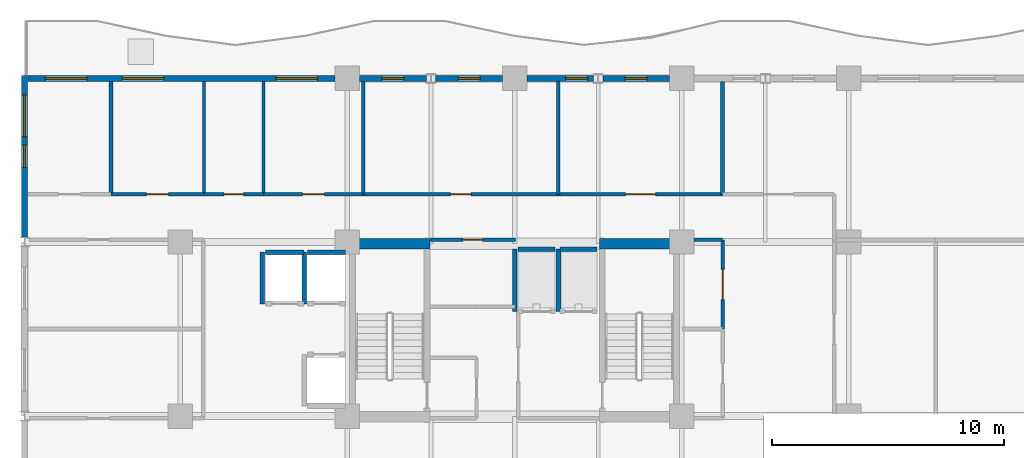
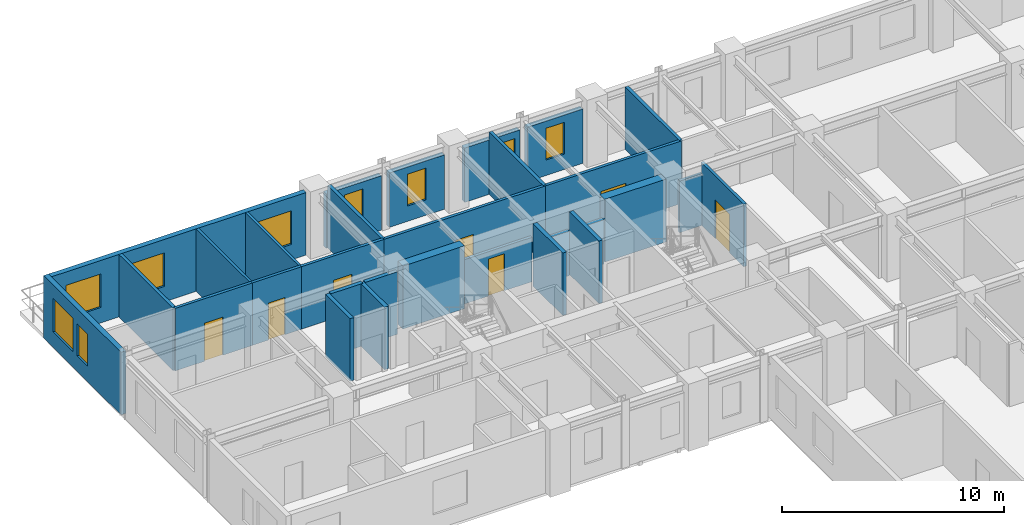
# One storey, part 8 of 14: 30 walls, 9 windows, 7 doors, 16 openings.
"""IFC4 building model written with IfcOpenShell, lengths in metres."""

from ifc_helpers import new_model, si_unit, direction, frame, frame_2d, origin, place, context, subcontext, project, spatial, rectangle, extrude, material, layer, layer_set, type_object, element, fill, save


model = new_model("IFC4")

# Units and contexts
model_context = context("Model", 3, precision=1e-05, world=origin(), true_north=direction((0.0, 1.0)))
body_context = subcontext(model_context, "Body", "Model", "MODEL_VIEW")
ifc_project = project(units=[si_unit("LENGTHUNIT", "METRE"), si_unit("AREAUNIT", "SQUARE_METRE"), si_unit("VOLUMEUNIT", "CUBIC_METRE"), si_unit("PLANEANGLEUNIT", "RADIAN"), si_unit("MASSUNIT", "GRAM", prefix="KILO")], contexts=[model_context])

# Site, building, storey
site_placement = place(None, origin())
site = spatial("IfcSite", under=ifc_project, at=site_placement, CompositionType="ELEMENT")
building_placement = place(site_placement, origin())
building = spatial("IfcBuilding", under=site, at=building_placement, Name="Kaliganga Portal Commons", CompositionType="ELEMENT")
storey_placement = place(building_placement, frame((0.0, 0.0, 151.300048828125)))
storey = spatial("IfcBuildingStorey", under=building, at=storey_placement, Name="L38", CompositionType="ELEMENT", Elevation=151.300048828125)

# Walls
ifc_material_1 = material(Name="Concrete C60/75", Category="concrete")
ifc_layer_1 = layer(ifc_material_1, 0.449951171875)
ifc_layer_set_1 = layer_set([ifc_layer_1], Name="Concrete C60/75")
wall_type_1 = type_object("IfcWallType", Name="WL-CORE-450", PredefinedType="SHEAR", material=ifc_layer_set_1)
for number, where, z_axis, x_axis, name in (
    (1, (14.75, 36.074951171875, 0.0), (0.0, 0.0, 1.0), (1.0, 0.0, 0.0), "Core A N-West Shear Wall L38"),
    (2, (25.25, 36.074951171875, 0.0), (0.0, 0.0, 1.0), (1.0, 0.0, 0.0), "Core A N-East Shear Wall L38"),
):
    element("IfcWall", number, at=place(storey_placement, frame(where, z_axis=z_axis, x_axis=x_axis)), inside=storey, type_object=wall_type_1, Name=name, PredefinedType="SHEAR", context=body_context, shape_type="SweptSolid", body=[
        extrude(rectangle(XDim=3.199951171875, YDim=0.449951171875, at=frame_2d((1.60009765625, 0.0))), origin(), (0.0, 0.0, 1.0), 3.4599609375),
    ])

# Wall, opening, window
ifc_material_2 = material(Name="Insulated Aluminium-Clad Spandrel Assembly", Category="aluminium")
ifc_layer_2 = layer(ifc_material_2, 0.260009765625)
ifc_layer_set_2 = layer_set([ifc_layer_2], Name="Insulated Aluminium-Clad Spandrel Assembly")
wall_type_2 = type_object("IfcWallType", Name="WL-EXT-SPAND-260", PredefinedType="STANDARD", material=ifc_layer_set_2)
wall_1_placement = place(storey_placement, frame((25.403076171875, 43.199951171875, 0.0), z_axis=(0.0, 0.0, 1.0), x_axis=(1.0, 0.0, 0.0)))
wall_1 = element("IfcWall", 3, at=wall_1_placement, inside=storey, type_object=wall_type_2, Name="Exterior Envelope Wall L38 P1-E02-S5", PredefinedType="STANDARD", context=body_context, shape_type="SweptSolid", body=[
    extrude(rectangle(XDim=2.870849609375, YDim=0.260009765625, at=frame_2d((1.435546875, 0.0))), origin(), (0.0, 0.0, 1.0), 2.989990234375),
])
opening_1_placement = place(wall_1_placement, frame((0.96044921875, 0.0, 0.85009765625)))
opening_1 = element("IfcOpeningElement", 4, at=opening_1_placement, cuts=wall_1, Name="Opening W-04", PredefinedType="OPENING", context=body_context, shape_type="SweptSolid", body=[
    extrude(rectangle(XDim=0.949951171875, YDim=1.75, at=frame_2d((0.47509765625, 0.875))), frame((0.0, 0.14013671875, 0.0), z_axis=(0.0, -1.0, 0.0), x_axis=(1.0, 0.0, 0.0)), (0.0, 0.0, 1.0), 0.280029296875),
])
ifc_material_3 = material(Name="Thermally Broken Aluminium and Low-E Double Glazing", Category="aluminium")
window_type_1 = type_object("IfcWindowType", Name="WIN-NARROW-950", PartitioningType="SINGLE_PANEL", PredefinedType="WINDOW", material=ifc_material_3)
window_1_placement = place(opening_1_placement, origin())
window_1 = element("IfcWindow", 5, at=window_1_placement, inside=storey, type_object=window_type_1, Name="Facade Window L38-P1E02S5-00", OverallHeight=1.75, OverallWidth=0.949951171875, PartitioningType="SINGLE_PANEL", PredefinedType="WINDOW", context=body_context, shape_type="SweptSolid", body=[
    extrude(rectangle(XDim=0.949951171875, YDim=1.75, at=frame_2d((0.47509765625, 0.875))), frame((0.0, 0.030029296875, 0.0), z_axis=(0.0, -1.0, 0.0), x_axis=(1.0, 0.0, 0.0)), (0.0, 0.0, 1.0), 0.06005859375),
])
fill(opening_1, window_1)

wall_2_placement = place(storey_placement, frame((22.1259765625, 43.199951171875, 0.0), z_axis=(0.0, 0.0, 1.0), x_axis=(1.0, 0.0, 0.0)))
wall_2 = element("IfcWall", 6, at=wall_2_placement, inside=storey, type_object=wall_type_2, Name="Exterior Envelope Wall L38 P1-E02-S6", PredefinedType="STANDARD", context=body_context, shape_type="SweptSolid", body=[
    extrude(rectangle(XDim=2.87109375, YDim=0.260009765625, at=frame_2d((1.435546875, 0.0))), origin(), (0.0, 0.0, 1.0), 2.989990234375),
])
opening_2_placement = place(wall_2_placement, frame((1.672607421875, 0.0, 0.85009765625)))
opening_2 = element("IfcOpeningElement", 7, at=opening_2_placement, cuts=wall_2, Name="Opening W-04", PredefinedType="OPENING", context=body_context, shape_type="SweptSolid", body=[
    extrude(rectangle(XDim=0.949951171875, YDim=1.75, at=frame_2d((0.47509765625, 0.875))), frame((0.0, 0.14013671875, 0.0), z_axis=(0.0, -1.0, 0.0), x_axis=(1.0, 0.0, 0.0)), (0.0, 0.0, 1.0), 0.280029296875),
])
window_2_placement = place(opening_2_placement, origin())
window_2 = element("IfcWindow", 8, at=window_2_placement, inside=storey, type_object=window_type_1, Name="Facade Window L38-P1E02S6-N2", OverallHeight=1.75, OverallWidth=0.949951171875, PartitioningType="SINGLE_PANEL", PredefinedType="WINDOW", context=body_context, shape_type="SweptSolid", body=[
    extrude(rectangle(XDim=0.949951171875, YDim=1.75, at=frame_2d((0.47509765625, 0.875))), frame((0.0, 0.030029296875, 0.0), z_axis=(0.0, -1.0, 0.0), x_axis=(1.0, 0.0, 0.0)), (0.0, 0.0, 1.0), 0.06005859375),
])
fill(opening_2, window_2)

wall_3_placement = place(storey_placement, frame((18.202880859375, 43.199951171875, 0.0), z_axis=(0.0, 0.0, 1.0), x_axis=(1.0, 0.0, 0.0)))
wall_3 = element("IfcWall", 9, at=wall_3_placement, inside=storey, type_object=wall_type_2, Name="Exterior Envelope Wall L38 P1-E02-S7", PredefinedType="STANDARD", context=body_context, shape_type="SweptSolid", body=[
    extrude(rectangle(XDim=2.87109375, YDim=0.260009765625, at=frame_2d((1.435546875, 0.0))), origin(), (0.0, 0.0, 1.0), 2.989990234375),
])
opening_3_placement = place(wall_3_placement, frame((0.96044921875, 0.0, 0.85009765625)))
opening_3 = element("IfcOpeningElement", 10, at=opening_3_placement, cuts=wall_3, Name="Opening W-04", PredefinedType="OPENING", context=body_context, shape_type="SweptSolid", body=[
    extrude(rectangle(XDim=0.949951171875, YDim=1.75, at=frame_2d((0.47509765625, 0.875))), frame((0.0, 0.14013671875, 0.0), z_axis=(0.0, -1.0, 0.0), x_axis=(1.0, 0.0, 0.0)), (0.0, 0.0, 1.0), 0.280029296875),
])
window_3_placement = place(opening_3_placement, origin())
window_3 = element("IfcWindow", 11, at=window_3_placement, inside=storey, type_object=window_type_1, Name="Facade Window L38-P1E02S7-00", OverallHeight=1.75, OverallWidth=0.949951171875, PartitioningType="SINGLE_PANEL", PredefinedType="WINDOW", context=body_context, shape_type="SweptSolid", body=[
    extrude(rectangle(XDim=0.949951171875, YDim=1.75, at=frame_2d((0.47509765625, 0.875))), frame((0.0, 0.030029296875, 0.0), z_axis=(0.0, -1.0, 0.0), x_axis=(1.0, 0.0, 0.0)), (0.0, 0.0, 1.0), 0.06005859375),
])
fill(opening_3, window_3)

wall_4_placement = place(storey_placement, frame((14.926025390625, 43.199951171875, 0.0), z_axis=(0.0, 0.0, 1.0), x_axis=(1.0, 0.0, 0.0)))
wall_4 = element("IfcWall", 12, at=wall_4_placement, inside=storey, type_object=wall_type_2, Name="Exterior Envelope Wall L38 P1-E02-S8", PredefinedType="STANDARD", context=body_context, shape_type="SweptSolid", body=[
    extrude(rectangle(XDim=2.87109375, YDim=0.260009765625, at=frame_2d((1.435546875, 0.0))), origin(), (0.0, 0.0, 1.0), 2.989990234375),
])
opening_4_placement = place(wall_4_placement, frame((0.96044921875, 0.0, 0.85009765625)))
opening_4 = element("IfcOpeningElement", 13, at=opening_4_placement, cuts=wall_4, Name="Opening W-04", PredefinedType="OPENING", context=body_context, shape_type="SweptSolid", body=[
    extrude(rectangle(XDim=0.949951171875, YDim=1.75, at=frame_2d((0.47509765625, 0.875))), frame((0.0, 0.14013671875, 0.0), z_axis=(0.0, -1.0, 0.0), x_axis=(1.0, 0.0, 0.0)), (0.0, 0.0, 1.0), 0.280029296875),
])
window_4_placement = place(opening_4_placement, origin())
window_4 = element("IfcWindow", 14, at=window_4_placement, inside=storey, type_object=window_type_1, Name="Facade Window L38-P1E02S8-00", OverallHeight=1.75, OverallWidth=0.949951171875, PartitioningType="SINGLE_PANEL", PredefinedType="WINDOW", context=body_context, shape_type="SweptSolid", body=[
    extrude(rectangle(XDim=0.949951171875, YDim=1.75, at=frame_2d((0.47509765625, 0.875))), frame((0.0, 0.030029296875, 0.0), z_axis=(0.0, -1.0, 0.0), x_axis=(1.0, 0.0, 0.0)), (0.0, 0.0, 1.0), 0.06005859375),
])
fill(opening_4, window_4)

# Wall, openings, windows
wall_5_placement = place(storey_placement, frame((0.635009765625, 43.199951171875, 0.0), z_axis=(0.0, 0.0, 1.0), x_axis=(1.0, 0.0, 0.0)))
wall_5 = element("IfcWall", 15, at=wall_5_placement, inside=storey, type_object=wall_type_2, Name="Exterior Envelope Wall L38 P1-E02-S9", PredefinedType="STANDARD", context=body_context, shape_type="SweptSolid", body=[
    extrude(rectangle(XDim=13.239013671875, YDim=0.260009765625, at=frame_2d((6.61962890625, 0.0))), origin(), (0.0, 0.0, 1.0), 3.43994140625),
])
opening_5_placement = place(wall_5_placement, frame((0.7548828125, 0.0, 0.85009765625)))
opening_5 = element("IfcOpeningElement", 16, at=opening_5_placement, cuts=wall_5, Name="Opening W-01", PredefinedType="OPENING", context=body_context, shape_type="SweptSolid", body=[
    extrude(rectangle(XDim=1.800048828125, YDim=1.85009765625, at=frame_2d((0.89990234375, 0.925048828125))), frame((0.0, 0.14013671875, 0.0), z_axis=(0.0, -1.0, 0.0), x_axis=(1.0, 0.0, 0.0)), (0.0, 0.0, 1.0), 0.280029296875),
])
opening_6_placement = place(wall_5_placement, frame((4.064697265625, 0.0, 0.85009765625)))
opening_6 = element("IfcOpeningElement", 17, at=opening_6_placement, cuts=wall_5, Name="Opening W-01", PredefinedType="OPENING", context=body_context, shape_type="SweptSolid", body=[
    extrude(rectangle(XDim=1.800048828125, YDim=1.85009765625, at=frame_2d((0.89990234375, 0.925048828125))), frame((0.0, 0.14013671875, 0.0), z_axis=(0.0, -1.0, 0.0), x_axis=(1.0, 0.0, 0.0)), (0.0, 0.0, 1.0), 0.280029296875),
])
opening_7_placement = place(wall_5_placement, frame((10.68408203125, 0.0, 0.85009765625)))
opening_7 = element("IfcOpeningElement", 18, at=opening_7_placement, cuts=wall_5, Name="Opening W-01", PredefinedType="OPENING", context=body_context, shape_type="SweptSolid", body=[
    extrude(rectangle(XDim=1.800048828125, YDim=1.85009765625, at=frame_2d((0.89990234375, 0.925048828125))), frame((0.0, 0.14013671875, 0.0), z_axis=(0.0, -1.0, 0.0), x_axis=(1.0, 0.0, 0.0)), (0.0, 0.0, 1.0), 0.280029296875),
])
window_type_2 = type_object("IfcWindowType", Name="WIN-STD-1800", PartitioningType="DOUBLE_PANEL_VERTICAL", PredefinedType="WINDOW", material=ifc_material_3)
window_5_placement = place(opening_5_placement, origin())
window_5 = element("IfcWindow", 19, at=window_5_placement, inside=storey, type_object=window_type_2, Name="Facade Window L38-P1E02S9-00", OverallHeight=1.85009765625, OverallWidth=1.800048828125, PartitioningType="SINGLE_PANEL", PredefinedType="WINDOW", context=body_context, shape_type="SweptSolid", body=[
    extrude(rectangle(XDim=1.800048828125, YDim=1.85009765625, at=frame_2d((0.89990234375, 0.925048828125))), frame((0.0, 0.030029296875, 0.0), z_axis=(0.0, -1.0, 0.0), x_axis=(1.0, 0.0, 0.0)), (0.0, 0.0, 1.0), 0.06005859375),
])
fill(opening_5, window_5)
window_6_placement = place(opening_6_placement, origin())
window_6 = element("IfcWindow", 20, at=window_6_placement, inside=storey, type_object=window_type_2, Name="Facade Window L38-P1E02S9-01", OverallHeight=1.85009765625, OverallWidth=1.800048828125, PartitioningType="SINGLE_PANEL", PredefinedType="WINDOW", context=body_context, shape_type="SweptSolid", body=[
    extrude(rectangle(XDim=1.800048828125, YDim=1.85009765625, at=frame_2d((0.89990234375, 0.925048828125))), frame((0.0, 0.030029296875, 0.0), z_axis=(0.0, -1.0, 0.0), x_axis=(1.0, 0.0, 0.0)), (0.0, 0.0, 1.0), 0.06005859375),
])
fill(opening_6, window_6)
window_7_placement = place(opening_7_placement, origin())
window_7 = element("IfcWindow", 21, at=window_7_placement, inside=storey, type_object=window_type_2, Name="Facade Window L38-P1E02S9-03", OverallHeight=1.85009765625, OverallWidth=1.800048828125, PartitioningType="SINGLE_PANEL", PredefinedType="WINDOW", context=body_context, shape_type="SweptSolid", body=[
    extrude(rectangle(XDim=1.800048828125, YDim=1.85009765625, at=frame_2d((0.89990234375, 0.925048828125))), frame((0.0, 0.030029296875, 0.0), z_axis=(0.0, -1.0, 0.0), x_axis=(1.0, 0.0, 0.0)), (0.0, 0.0, 1.0), 0.06005859375),
])
fill(opening_7, window_7)

wall_6_placement = place(storey_placement, frame((0.5, 36.35791015625, 0.0), z_axis=(0.0, 0.0, 1.0), x_axis=(0.0, 1.0, 0.0)))
wall_6 = element("IfcWall", 22, at=wall_6_placement, inside=storey, type_object=wall_type_2, Name="Exterior Envelope Wall L38 P1-E03-S1", PredefinedType="STANDARD", context=body_context, shape_type="SweptSolid", body=[
    extrude(rectangle(XDim=6.97216796875, YDim=0.260009765625, at=frame_2d((3.486083984375, 0.0))), origin(), (0.0, 0.0, 1.0), 3.43994140625),
])
opening_8_placement = place(wall_6_placement, frame((4.3291015625, 0.0, 0.85009765625)))
opening_8 = element("IfcOpeningElement", 23, at=opening_8_placement, cuts=wall_6, Name="Opening W-01", PredefinedType="OPENING", context=body_context, shape_type="SweptSolid", body=[
    extrude(rectangle(XDim=1.800048828125, YDim=1.85009765625, at=frame_2d((0.89990234375, 0.925048828125))), frame((0.0, 0.14013671875, 0.0), z_axis=(0.0, -1.0, 0.0), x_axis=(1.0, 0.0, 0.0)), (0.0, 0.0, 1.0), 0.280029296875),
])
opening_9_placement = place(wall_6_placement, frame((3.010986328125, 0.0, 0.85009765625)))
opening_9 = element("IfcOpeningElement", 24, at=opening_9_placement, cuts=wall_6, Name="Opening W-04", PredefinedType="OPENING", context=body_context, shape_type="SweptSolid", body=[
    extrude(rectangle(XDim=0.949951171875, YDim=1.75, at=frame_2d((0.47509765625, 0.875))), frame((0.0, 0.14013671875, 0.0), z_axis=(0.0, -1.0, 0.0), x_axis=(1.0, 0.0, 0.0)), (0.0, 0.0, 1.0), 0.280029296875),
])
window_8_placement = place(opening_9_placement, origin())
window_8 = element("IfcWindow", 25, at=window_8_placement, inside=storey, type_object=window_type_1, Name="Facade Window L38-P1E03S1-N0", OverallHeight=1.75, OverallWidth=0.949951171875, PartitioningType="SINGLE_PANEL", PredefinedType="WINDOW", context=body_context, shape_type="SweptSolid", body=[
    extrude(rectangle(XDim=0.949951171875, YDim=1.75, at=frame_2d((0.47509765625, 0.875))), frame((0.0, 0.030029296875, 0.0), z_axis=(0.0, -1.0, 0.0), x_axis=(1.0, 0.0, 0.0)), (0.0, 0.0, 1.0), 0.06005859375),
])
fill(opening_9, window_8)
window_9_placement = place(opening_8_placement, origin())
window_9 = element("IfcWindow", 26, at=window_9_placement, inside=storey, type_object=window_type_2, Name="Facade Window L38-P1E03S1-01", OverallHeight=1.85009765625, OverallWidth=1.800048828125, PartitioningType="SINGLE_PANEL", PredefinedType="WINDOW", context=body_context, shape_type="SweptSolid", body=[
    extrude(rectangle(XDim=1.800048828125, YDim=1.85009765625, at=frame_2d((0.89990234375, 0.925048828125))), frame((0.0, 0.030029296875, 0.0), z_axis=(0.0, -1.0, 0.0), x_axis=(1.0, 0.0, 0.0)), (0.0, 0.0, 1.0), 0.06005859375),
])
fill(opening_8, window_9)

# Wall, opening, door
ifc_material_4 = material(Name="Fire-Rated Gypsum Board on Steel Stud", Category="steel")
ifc_layer_3 = layer(ifc_material_4, 0.14990234375)
ifc_layer_set_3 = layer_set([ifc_layer_3], Name="Fire-Rated Gypsum Board on Steel Stud")
wall_type_3 = type_object("IfcWallType", Name="WL-PART-CORR-150", PredefinedType="PARTITIONING", material=ifc_layer_set_3)
wall_7_placement = place(storey_placement, frame((15.080078125, 38.199951171875, 0.0), z_axis=(0.0, 0.0, 1.0), x_axis=(1.0, 0.0, 0.0)))
wall_7 = element("IfcWall", 27, at=wall_7_placement, inside=storey, type_object=wall_type_3, Name="Interior Partition L38-011", PredefinedType="PARTITIONING", context=body_context, shape_type="SweptSolid", body=[
    extrude(rectangle(XDim=8.39990234375, YDim=0.14990234375, at=frame_2d((4.199951171875, 0.0))), origin(), (0.0, 0.0, 1.0), 3.43994140625),
])
opening_10_placement = place(wall_7_placement, frame((3.75, 0.0, 0.0)))
opening_10 = element("IfcOpeningElement", 28, at=opening_10_placement, cuts=wall_7, Name="Opening RD-01", PredefinedType="OPENING", context=body_context, shape_type="SweptSolid", body=[
    extrude(rectangle(XDim=0.89990234375, YDim=2.080078125, at=frame_2d((0.449951171875, 1.0400390625))), frame((0.0, 0.0849609375, 0.0), z_axis=(0.0, -1.0, 0.0), x_axis=(1.0, 0.0, 0.0)), (0.0, 0.0, 1.0), 0.169921875),
])
ifc_material_5 = material(Name="Engineered Timber Flush Door", Category="wood")
door_type_1 = type_object("IfcDoorType", Name="DR-ROOM-900", OperationType="NOTDEFINED", PredefinedType="DOOR", material=ifc_material_5)
door_1_placement = place(opening_10_placement, origin())
door_1 = element("IfcDoor", 29, at=door_1_placement, inside=storey, type_object=door_type_1, Name="Interior Door L38-AN05", OperationType="SINGLE_SWING_LEFT", OverallHeight=2.080078125, OverallWidth=0.89990234375, PredefinedType="DOOR", context=body_context, shape_type="SweptSolid", body=[
    extrude(rectangle(XDim=0.89990234375, YDim=2.080078125, at=frame_2d((0.449951171875, 1.0400390625))), frame((0.0, 0.02490234375, 0.0), z_axis=(0.0, -1.0, 0.0), x_axis=(1.0, 0.0, 0.0)), (0.0, 0.0, 1.0), 0.050048828125),
])
fill(opening_10, door_1)

wall_8_placement = place(storey_placement, frame((23.47998046875, 38.199951171875, 0.0), z_axis=(0.0, 0.0, 1.0), x_axis=(1.0, 0.0, 0.0)))
wall_8 = element("IfcWall", 30, at=wall_8_placement, inside=storey, type_object=wall_type_3, Name="Interior Partition L38-019", PredefinedType="PARTITIONING", context=body_context, shape_type="SweptSolid", body=[
    extrude(rectangle(XDim=7.080078125, YDim=0.14990234375, at=frame_2d((3.5400390625, 0.0))), origin(), (0.0, 0.0, 1.0), 3.43994140625),
])
opening_11_placement = place(wall_8_placement, frame((2.889892578125, 0.0, 0.0)))
opening_11 = element("IfcOpeningElement", 31, at=opening_11_placement, cuts=wall_8, Name="Opening RD-03", PredefinedType="OPENING", context=body_context, shape_type="SweptSolid", body=[
    extrude(rectangle(XDim=1.300048828125, YDim=2.1201171875, at=frame_2d((0.64990234375, 1.06005859375))), frame((0.0, 0.0849609375, 0.0), z_axis=(0.0, -1.0, 0.0), x_axis=(1.0, 0.0, 0.0)), (0.0, 0.0, 1.0), 0.169921875),
])
ifc_material_6 = material(Name="Glazed Timber Seminar Vision Door", Category="wood")
door_type_2 = type_object("IfcDoorType", Name="DR-STUDY-1300", OperationType="DOUBLE_DOOR_SINGLE_SWING", PredefinedType="DOOR", material=ifc_material_6)
door_2_placement = place(opening_11_placement, origin())
door_2 = element("IfcDoor", 32, at=door_2_placement, inside=storey, type_object=door_type_2, Name="Interior Door L38-AN06", OperationType="DOUBLE_DOOR_SINGLE_SWING", OverallHeight=2.1201171875, OverallWidth=1.300048828125, PredefinedType="DOOR", context=body_context, shape_type="SweptSolid", body=[
    extrude(rectangle(XDim=1.300048828125, YDim=2.1201171875, at=frame_2d((0.64990234375, 1.06005859375))), frame((0.0, 0.02490234375, 0.0), z_axis=(0.0, -1.0, 0.0), x_axis=(1.0, 0.0, 0.0)), (0.0, 0.0, 1.0), 0.050048828125),
])
fill(opening_11, door_2)

wall_9_placement = place(storey_placement, frame((10.780029296875, 38.199951171875, 0.0), z_axis=(0.0, 0.0, 1.0), x_axis=(1.0, 0.0, 0.0)))
wall_9 = element("IfcWall", 33, at=wall_9_placement, inside=storey, type_object=wall_type_3, Name="Interior Partition L38-035", PredefinedType="PARTITIONING", context=body_context, shape_type="SweptSolid", body=[
    extrude(rectangle(XDim=4.300048828125, YDim=0.14990234375, at=frame_2d((2.14990234375, 0.0))), origin(), (0.0, 0.0, 1.0), 3.43994140625),
])
opening_12_placement = place(wall_9_placement, frame((1.675048828125, 0.0, 0.0)))
opening_12 = element("IfcOpeningElement", 34, at=opening_12_placement, cuts=wall_9, Name="Opening UD-01", PredefinedType="OPENING", context=body_context, shape_type="SweptSolid", body=[
    extrude(rectangle(XDim=0.949951171875, YDim=2.10009765625, at=frame_2d((0.47509765625, 1.050048828125))), frame((0.0, 0.0849609375, 0.0), z_axis=(0.0, -1.0, 0.0), x_axis=(1.0, 0.0, 0.0)), (0.0, 0.0, 1.0), 0.169921875),
])
ifc_material_7 = material(Name="Solid-Core Timber Acoustic Fire Door", Category="wood")
door_type_3 = type_object("IfcDoorType", Name="DR-UNIT-950", OperationType="NOTDEFINED", PredefinedType="DOOR", material=ifc_material_7)
door_3_placement = place(opening_12_placement, origin())
door_3 = element("IfcDoor", 35, at=door_3_placement, inside=storey, type_object=door_type_3, Name="Interior Door L38-AN04", OperationType="SINGLE_SWING_RIGHT", OverallHeight=2.10009765625, OverallWidth=0.949951171875, PredefinedType="DOOR", context=body_context, shape_type="SweptSolid", body=[
    extrude(rectangle(XDim=0.949951171875, YDim=2.10009765625, at=frame_2d((0.47509765625, 1.050048828125))), frame((0.0, 0.02490234375, 0.0), z_axis=(0.0, -1.0, 0.0), x_axis=(1.0, 0.0, 0.0)), (0.0, 0.0, 1.0), 0.050048828125),
])
fill(opening_12, door_3)

wall_10_placement = place(storey_placement, frame((4.219970703125, 38.199951171875, 0.0), z_axis=(0.0, 0.0, 1.0), x_axis=(1.0, 0.0, 0.0)))
wall_10 = element("IfcWall", 36, at=wall_10_placement, inside=storey, type_object=wall_type_3, Name="Interior Partition L38-037", PredefinedType="PARTITIONING", context=body_context, shape_type="SweptSolid", body=[
    extrude(rectangle(XDim=4.0, YDim=0.14990234375, at=frame_2d((2.0, 0.0))), origin(), (0.0, 0.0, 1.0), 3.43994140625),
])
opening_13_placement = place(wall_10_placement, frame((1.52490234375, 0.0, 0.0)))
opening_13 = element("IfcOpeningElement", 37, at=opening_13_placement, cuts=wall_10, Name="Opening UD-01", PredefinedType="OPENING", context=body_context, shape_type="SweptSolid", body=[
    extrude(rectangle(XDim=0.949951171875, YDim=2.10009765625, at=frame_2d((0.47509765625, 1.050048828125))), frame((0.0, 0.0849609375, 0.0), z_axis=(0.0, -1.0, 0.0), x_axis=(1.0, 0.0, 0.0)), (0.0, 0.0, 1.0), 0.169921875),
])
door_4_placement = place(opening_13_placement, origin())
door_4 = element("IfcDoor", 38, at=door_4_placement, inside=storey, type_object=door_type_3, Name="Interior Door L38-AN02", OperationType="SINGLE_SWING_RIGHT", OverallHeight=2.10009765625, OverallWidth=0.949951171875, PredefinedType="DOOR", context=body_context, shape_type="SweptSolid", body=[
    extrude(rectangle(XDim=0.949951171875, YDim=2.10009765625, at=frame_2d((0.47509765625, 1.050048828125))), frame((0.0, 0.02490234375, 0.0), z_axis=(0.0, -1.0, 0.0), x_axis=(1.0, 0.0, 0.0)), (0.0, 0.0, 1.0), 0.050048828125),
])
fill(opening_13, door_4)

wall_11_placement = place(storey_placement, frame((30.56005859375, 32.39990234375, 0.0), z_axis=(0.0, 0.0, 1.0), x_axis=(0.0, 1.0, 0.0)))
wall_11 = element("IfcWall", 39, at=wall_11_placement, inside=storey, type_object=wall_type_3, Name="Interior Partition L38-039", PredefinedType="PARTITIONING", context=body_context, shape_type="SweptSolid", body=[
    extrude(rectangle(XDim=3.840087890625, YDim=0.14990234375, at=frame_2d((1.919921875, 0.0))), origin(), (0.0, 0.0, 1.0), 3.43994140625),
])
opening_14_placement = place(wall_11_placement, frame((1.27001953125, 0.0, 0.0)))
opening_14 = element("IfcOpeningElement", 40, at=opening_14_placement, cuts=wall_11, Name="Opening RD-03", PredefinedType="OPENING", context=body_context, shape_type="SweptSolid", body=[
    extrude(rectangle(XDim=1.300048828125, YDim=2.1201171875, at=frame_2d((0.64990234375, 1.06005859375))), frame((0.0, 0.0849609375, 0.0), z_axis=(0.0, -1.0, 0.0), x_axis=(1.0, 0.0, 0.0)), (0.0, 0.0, 1.0), 0.169921875),
])
door_5_placement = place(opening_14_placement, origin())
door_5 = element("IfcDoor", 41, at=door_5_placement, inside=storey, type_object=door_type_2, Name="Interior Door L38-CSRV_A2", OperationType="DOUBLE_DOOR_SINGLE_SWING", OverallHeight=2.1201171875, OverallWidth=1.300048828125, PredefinedType="DOOR", context=body_context, shape_type="SweptSolid", body=[
    extrude(rectangle(XDim=1.300048828125, YDim=2.1201171875, at=frame_2d((0.64990234375, 1.06005859375))), frame((0.0, 0.02490234375, 0.0), z_axis=(0.0, -1.0, 0.0), x_axis=(1.0, 0.0, 0.0)), (0.0, 0.0, 1.0), 0.050048828125),
])
fill(opening_14, door_5)

wall_12_placement = place(storey_placement, frame((17.9599609375, 36.239990234375, 0.0), z_axis=(0.0, 0.0, 1.0), x_axis=(1.0, 0.0, 0.0)))
wall_12 = element("IfcWall", 42, at=wall_12_placement, inside=storey, type_object=wall_type_3, Name="Interior Partition L38-044", PredefinedType="PARTITIONING", context=body_context, shape_type="SweptSolid", body=[
    extrude(rectangle(XDim=3.679931640625, YDim=0.14990234375, at=frame_2d((1.83984375, 0.0))), origin(), (0.0, 0.0, 1.0), 2.43994140625),
])
opening_15_placement = place(wall_12_placement, frame((1.4150390625, 0.0, 0.0)))
opening_15 = element("IfcOpeningElement", 43, at=opening_15_placement, cuts=wall_12, Name="Opening WD-01", PredefinedType="OPENING", context=body_context, shape_type="SweptSolid", body=[
    extrude(rectangle(XDim=0.85009765625, YDim=2.0400390625, at=frame_2d((0.425048828125, 1.02001953125))), frame((0.0, 0.0849609375, 0.0), z_axis=(0.0, -1.0, 0.0), x_axis=(1.0, 0.0, 0.0)), (0.0, 0.0, 1.0), 0.169921875),
])
ifc_material_8 = material(Name="Moisture-Resistant Laminate Timber Door", Category="wood")
door_type_4 = type_object("IfcDoorType", Name="DR-WET-850", OperationType="NOTDEFINED", PredefinedType="DOOR", material=ifc_material_8)
door_6_placement = place(opening_15_placement, origin())
door_6 = element("IfcDoor", 44, at=door_6_placement, inside=storey, type_object=door_type_4, Name="Interior Door L38-CREC_A1", OperationType="SINGLE_SWING_LEFT", OverallHeight=2.0400390625, OverallWidth=0.85009765625, PredefinedType="DOOR", context=body_context, shape_type="SweptSolid", body=[
    extrude(rectangle(XDim=0.85009765625, YDim=2.0400390625, at=frame_2d((0.425048828125, 1.02001953125))), frame((0.0, 0.02490234375, 0.0), z_axis=(0.0, -1.0, 0.0), x_axis=(1.0, 0.0, 0.0)), (0.0, 0.0, 1.0), 0.050048828125),
])
fill(opening_15, door_6)

wall_13_placement = place(storey_placement, frame((8.219970703125, 38.199951171875, 0.0), z_axis=(0.0, 0.0, 1.0), x_axis=(1.0, 0.0, 0.0)))
wall_13 = element("IfcWall", 45, at=wall_13_placement, inside=storey, type_object=wall_type_3, Name="Interior Partition L38-052", PredefinedType="PARTITIONING", context=body_context, shape_type="SweptSolid", body=[
    extrude(rectangle(XDim=2.56005859375, YDim=0.14990234375, at=frame_2d((1.280029296875, 0.0))), origin(), (0.0, 0.0, 1.0), 3.43994140625),
])
opening_16_placement = place(wall_13_placement, frame((0.85498046875, 0.0, 0.0)))
opening_16 = element("IfcOpeningElement", 46, at=opening_16_placement, cuts=wall_13, Name="Opening WD-01", PredefinedType="OPENING", context=body_context, shape_type="SweptSolid", body=[
    extrude(rectangle(XDim=0.85009765625, YDim=2.0400390625, at=frame_2d((0.425048828125, 1.02001953125))), frame((0.0, 0.0849609375, 0.0), z_axis=(0.0, -1.0, 0.0), x_axis=(1.0, 0.0, 0.0)), (0.0, 0.0, 1.0), 0.169921875),
])
door_7_placement = place(opening_16_placement, origin())
door_7 = element("IfcDoor", 47, at=door_7_placement, inside=storey, type_object=door_type_4, Name="Interior Door L38-AN03", OperationType="SINGLE_SWING_LEFT", OverallHeight=2.0400390625, OverallWidth=0.85009765625, PredefinedType="DOOR", context=body_context, shape_type="SweptSolid", body=[
    extrude(rectangle(XDim=0.85009765625, YDim=2.0400390625, at=frame_2d((0.425048828125, 1.02001953125))), frame((0.0, 0.02490234375, 0.0), z_axis=(0.0, -1.0, 0.0), x_axis=(1.0, 0.0, 0.0)), (0.0, 0.0, 1.0), 0.050048828125),
])
fill(opening_16, door_7)

# Walls
wall_14_placement = place(storey_placement, frame((29.324951171875, 36.239990234375, 0.0), z_axis=(0.0, 0.0, 1.0), x_axis=(1.0, 0.0, 0.0)))
element("IfcWall", 48, at=wall_14_placement, inside=storey, type_object=wall_type_3, Name="Interior Partition L38-059", PredefinedType="PARTITIONING", context=body_context, shape_type="SweptSolid", body=[
    extrude(rectangle(XDim=1.235107421875, YDim=0.14990234375, at=frame_2d((0.61767578125, 0.0))), origin(), (0.0, 0.0, 1.0), 2.83984375),
])
ifc_material_9 = material(Name="Twin-Stud Acoustic Gypsum Partition", Category="gypsum")
ifc_layer_4 = layer(ifc_material_9, 0.1650390625)
ifc_layer_set_4 = layer_set([ifc_layer_4], Name="Twin-Stud Acoustic Gypsum Partition")
wall_type_4 = type_object("IfcWallType", Name="WL-PART-UNIT-165", PredefinedType="PARTITIONING", material=ifc_layer_set_4)
for number, where, z_axis, x_axis, name in (
    (49, (4.219970703125, 38.199951171875, 0.0), (0.0, 0.0, 1.0), (0.0, 1.0, 0.0), "Interior Partition L38-070"),
    (50, (15.080078125, 38.199951171875, 0.0), (0.0, 0.0, 1.0), (0.0, 1.0, 0.0), "Interior Partition L38-073"),
    (51, (23.47998046875, 38.199951171875, 0.0), (0.0, 0.0, 1.0), (0.0, 1.0, 0.0), "Interior Partition L38-075"),
    (52, (30.56005859375, 38.199951171875, 0.0), (0.0, 0.0, 1.0), (0.0, 1.0, 0.0), "Interior Partition L38-076"),
):
    element("IfcWall", number, at=place(storey_placement, frame(where, z_axis=z_axis, x_axis=x_axis)), inside=storey, type_object=wall_type_4, Name=name, PredefinedType="PARTITIONING", context=body_context, shape_type="SweptSolid", body=[
        extrude(rectangle(XDim=4.8681640625, YDim=0.1650390625, at=frame_2d((2.43408203125, 0.0))), origin(), (0.0, 0.0, 1.0), 3.43994140625),
    ])
ifc_material_10 = material(Name="Cement-Board Wet-Room Partition", Category="gypsum")
ifc_layer_5 = layer(ifc_material_10, 0.135009765625)
ifc_layer_set_5 = layer_set([ifc_layer_5], Name="Cement-Board Wet-Room Partition")
wall_type_5 = type_object("IfcWallType", Name="WL-PART-WET-135", PredefinedType="PARTITIONING", material=ifc_layer_set_5)
for number, where, z_axis, x_axis, name in (
    (53, (8.219970703125, 38.199951171875, 0.0), (0.0, 0.0, 1.0), (0.0, 1.0, 0.0), "Interior Partition L38-071"),
    (54, (10.780029296875, 38.199951171875, 0.0), (0.0, 0.0, 1.0), (0.0, 1.0, 0.0), "Interior Partition L38-072"),
):
    element("IfcWall", number, at=place(storey_placement, frame(where, z_axis=z_axis, x_axis=x_axis)), inside=storey, type_object=wall_type_5, Name=name, PredefinedType="PARTITIONING", context=body_context, shape_type="SweptSolid", body=[
        extrude(rectangle(XDim=4.8681640625, YDim=0.135009765625, at=frame_2d((2.43408203125, 0.0))), origin(), (0.0, 0.0, 1.0), 3.43994140625),
    ])
ifc_material_11 = material(Name="Fire-Rated Shaftwall Masonry Assembly", Category="masonry")
ifc_layer_6 = layer(ifc_material_11, 0.199951171875)
ifc_layer_set_6 = layer_set([ifc_layer_6], Name="Fire-Rated Shaftwall Masonry Assembly")
wall_type_6 = type_object("IfcWallType", Name="WL-SHAFT-200", PredefinedType="PARTITIONING", material=ifc_layer_set_6)
wall_15_placement = place(storey_placement, frame((12.675048828125, 35.715087890625, 0.0), z_axis=(0.0, 0.0, 1.0), x_axis=(1.0, 0.0, 0.0)))
element("IfcWall", 55, at=wall_15_placement, inside=storey, type_object=wall_type_6, Name="Lift PL-A3 Hoistway Shaft Wall L38-N", PredefinedType="PARTITIONING", context=body_context, shape_type="SweptSolid", body=[
    extrude(rectangle(XDim=1.64990234375, YDim=0.199951171875, at=frame_2d((0.824951171875, 0.0))), origin(), (0.0, 0.0, 1.0), 3.43994140625),
])
wall_16_placement = place(storey_placement, frame((12.534912109375, 33.485107421875, 0.0), z_axis=(0.0, 0.0, 1.0), x_axis=(0.0, 1.0, 0.0)))
element("IfcWall", 56, at=wall_16_placement, inside=storey, type_object=wall_type_6, Name="Lift PL-A3 Hoistway Shaft Wall L38-W", PredefinedType="PARTITIONING", context=body_context, shape_type="SweptSolid", body=[
    extrude(rectangle(XDim=2.22998046875, YDim=0.199951171875, at=frame_2d((1.114990234375, 0.0))), origin(), (0.0, 0.0, 1.0), 3.43994140625),
])
wall_17_placement = place(storey_placement, frame((10.875, 35.715087890625, 0.0), z_axis=(0.0, 0.0, 1.0), x_axis=(1.0, 0.0, 0.0)))
element("IfcWall", 57, at=wall_17_placement, inside=storey, type_object=wall_type_6, Name="Lift PL-OBS Hoistway Shaft Wall L38-N", PredefinedType="PARTITIONING", context=body_context, shape_type="SweptSolid", body=[
    extrude(rectangle(XDim=1.64990234375, YDim=0.199951171875, at=frame_2d((0.824951171875, 0.0))), origin(), (0.0, 0.0, 1.0), 3.43994140625),
])
wall_18_placement = place(storey_placement, frame((10.735107421875, 33.485107421875, 0.0), z_axis=(0.0, 0.0, 1.0), x_axis=(0.0, 1.0, 0.0)))
element("IfcWall", 58, at=wall_18_placement, inside=storey, type_object=wall_type_6, Name="Lift PL-OBS Hoistway Shaft Wall L38-W", PredefinedType="PARTITIONING", context=body_context, shape_type="SweptSolid", body=[
    extrude(rectangle(XDim=2.22998046875, YDim=0.199951171875, at=frame_2d((1.114990234375, 0.0))), origin(), (0.0, 0.0, 1.0), 3.43994140625),
])
wall_19_placement = place(storey_placement, frame((21.75, 35.840087890625, 0.0), z_axis=(0.0, 0.0, 1.0), x_axis=(1.0, 0.0, 0.0)))
element("IfcWall", 59, at=wall_19_placement, inside=storey, type_object=wall_type_6, Name="Lift FFL-1 Hoistway Shaft Wall L38-N", PredefinedType="PARTITIONING", context=body_context, shape_type="SweptSolid", body=[
    extrude(rectangle(XDim=1.60009765625, YDim=0.199951171875, at=frame_2d((0.800048828125, 0.0))), origin(), (0.0, 0.0, 1.0), 2.43994140625),
])
for number, where, z_axis, x_axis, name in (
    (60, (21.610107421875, 33.159912109375, 0.0), (0.0, 0.0, 1.0), (0.0, 1.0, 0.0), "Lift FFL-1 Hoistway Shaft Wall L38-W"),
    (61, (23.489990234375, 33.159912109375, 0.0), (0.0, 0.0, 1.0), (0.0, 1.0, 0.0), "Lift FFL-1 Hoistway Shaft Wall L38-E"),
):
    element("IfcWall", number, at=place(storey_placement, frame(where, z_axis=z_axis, x_axis=x_axis)), inside=storey, type_object=wall_type_6, Name=name, PredefinedType="PARTITIONING", context=body_context, shape_type="SweptSolid", body=[
        extrude(rectangle(XDim=2.68017578125, YDim=0.199951171875, at=frame_2d((1.340087890625, 0.0))), origin(), (0.0, 0.0, 1.0), 3.43994140625),
    ])
wall_20_placement = place(storey_placement, frame((23.550048828125, 35.840087890625, 0.0), z_axis=(0.0, 0.0, 1.0), x_axis=(1.0, 0.0, 0.0)))
element("IfcWall", 62, at=wall_20_placement, inside=storey, type_object=wall_type_6, Name="Lift FFL-2 Hoistway Shaft Wall L38-N", PredefinedType="PARTITIONING", context=body_context, shape_type="SweptSolid", body=[
    extrude(rectangle(XDim=1.599853515625, YDim=0.199951171875, at=frame_2d((0.7998046875, 0.0))), origin(), (0.0, 0.0, 1.0), 2.43994140625),
])

save(model, "model.ifc")
